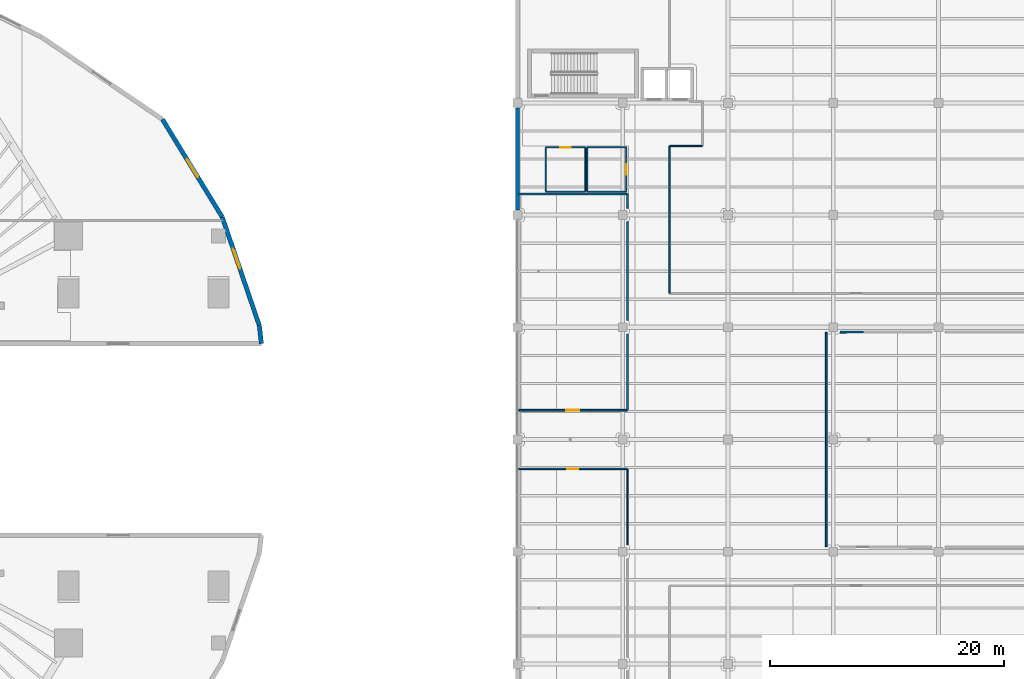
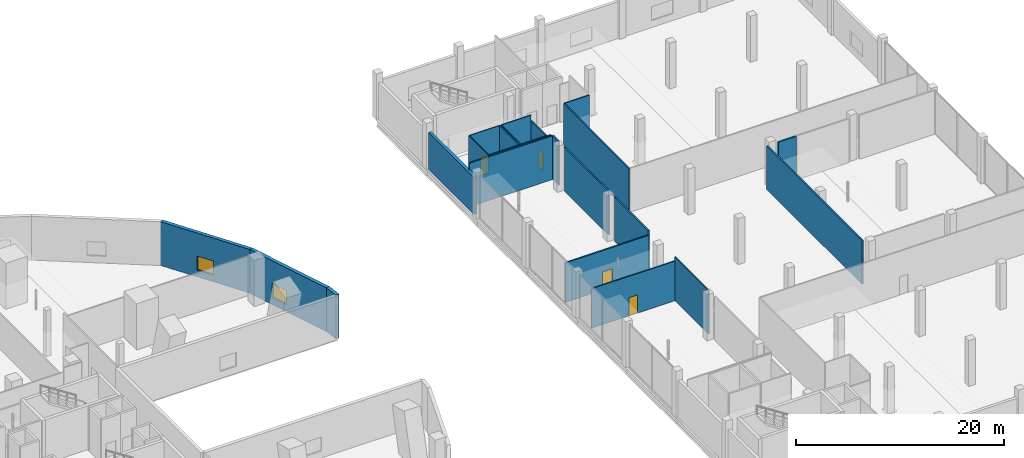
# One storey, part 31 of 47: 23 walls, 4 doors, 2 windows, 6 openings.
"""IFC4 building model written with IfcOpenShell, lengths in metres."""

from ifc_helpers import new_model, si_unit, direction, frame, frame_2d, origin, place, context, subcontext, project, spatial, rectangle, extrude, material, layer, layer_set, type_object, element, fill, save


model = new_model("IFC4")

# Units and contexts
model_context = context("Model", 3, precision=1e-05, world=origin(), true_north=direction((0.0, 1.0)))
body_context = subcontext(model_context, "Body", "Model", "MODEL_VIEW")
ifc_project = project(units=[si_unit("LENGTHUNIT", "METRE"), si_unit("AREAUNIT", "SQUARE_METRE"), si_unit("VOLUMEUNIT", "CUBIC_METRE"), si_unit("PLANEANGLEUNIT", "RADIAN"), si_unit("MASSUNIT", "GRAM", prefix="KILO")], contexts=[model_context])

# Site, building, storey
site_placement = place(None, origin())
site = spatial("IfcSite", under=ifc_project, at=site_placement, CompositionType="ELEMENT")
building_placement = place(site_placement, origin())
building = spatial("IfcBuilding", under=site, at=building_placement, Name="Qorvath Tower", CompositionType="ELEMENT")
storey_placement = place(building_placement, frame((0.0, 0.0, 6.60009765625)))
storey = spatial("IfcBuildingStorey", under=building, at=storey_placement, Name="L01", CompositionType="ELEMENT", Elevation=6.60009765625)

# Walls
ifc_material_1 = material(Name="Double acoustic gypsum board on steel studs", Category="steel")
ifc_layer_1 = layer(ifc_material_1, 0.159912109375)
ifc_layer_set_1 = layer_set([ifc_layer_1], Name="IW-ACOUSTIC-160")
wall_type_1 = type_object("IfcWallType", Name="IW-ACOUSTIC-160", PredefinedType="PARTITIONING", material=ifc_layer_set_1)
wall_1_placement = place(storey_placement, frame((61.983154296875, 9.199951171875, 0.0), z_axis=(0.0, 0.0, 1.0), x_axis=(-0.999991860604, -0.004034690231, 0.0)))
element("IfcWall", 1, at=wall_1_placement, inside=storey, type_object=wall_type_1, Name="Interior Partition IW-LB-L01-033", PredefinedType="PARTITIONING", context=body_context, shape_type="SweptSolid", body=[
    extrude(rectangle(XDim=1.996826171875, YDim=0.159912109375, at=frame_2d((0.99853515625, 0.0))), origin(), (0.0, 0.0, 1.0), 5.139892578125),
])
wall_2_placement = place(storey_placement, frame((58.800048828125, 9.1669921875, 0.0), z_axis=(0.0, 0.0, 1.0), x_axis=(0.0, -1.0, 0.0)))
element("IfcWall", 2, at=wall_2_placement, inside=storey, type_object=wall_type_1, Name="Interior Partition IW-LB-L01-034", PredefinedType="PARTITIONING", context=body_context, shape_type="SweptSolid", body=[
    extrude(rectangle(XDim=18.333984375, YDim=0.159912109375, at=frame_2d((9.1669921875, 0.0))), origin(), (0.0, 0.0, 1.0), 5.139892578125),
])

# Wall, opening, door
wall_3_placement = place(storey_placement, frame((32.47998046875, 2.508056640625, 0.0), z_axis=(0.0, 0.0, 1.0), x_axis=(1.0, 0.0, 0.0)))
wall_3 = element("IfcWall", 3, at=wall_3_placement, inside=storey, type_object=wall_type_1, Name="Interior Partition IW-LB-L01-035", PredefinedType="PARTITIONING", context=body_context, shape_type="SweptSolid", body=[
    extrude(rectangle(XDim=9.294921875, YDim=0.159912109375, at=frame_2d((4.6474609375, 0.0))), origin(), (0.0, 0.0, 1.0), 4.65283203125),
])
opening_1_placement = place(wall_3_placement, frame((4.097412109375, 0.0, 0.0)))
opening_1 = element("IfcOpeningElement", 4, at=opening_1_placement, cuts=wall_3, Name="Opening D-LB-L01-08", PredefinedType="OPENING", context=body_context, shape_type="SweptSolid", body=[
    extrude(rectangle(XDim=1.10009765625, YDim=2.14990234375, at=frame_2d((0.550048828125, 1.074951171875))), frame((0.0, 0.08984375, 0.0), z_axis=(0.0, -1.0, 0.0), x_axis=(1.0, 0.0, 0.0)), (0.0, 0.0, 1.0), 0.179931640625),
])
ifc_material_2 = material(Name="Anodised aluminium acoustic framed glass", Category="aluminium")
door_type_1 = type_object("IfcDoorType", Name="D-03", OperationType="NOTDEFINED", PredefinedType="DOOR", material=ifc_material_2)
door_1_placement = place(opening_1_placement, origin())
door_1 = element("IfcDoor", 5, at=door_1_placement, inside=storey, type_object=door_type_1, Name="L-L01-SEM-W Research Seminar Suite L01 Door D-LB-L01-08", OperationType="SINGLE_SWING_LEFT", OverallHeight=2.14990234375, OverallWidth=1.10009765625, PredefinedType="DOOR", context=body_context, shape_type="SweptSolid", body=[
    extrude(rectangle(XDim=1.10009765625, YDim=2.14990234375, at=frame_2d((0.550048828125, 1.074951171875))), frame((0.0, 0.02490234375, 0.0), z_axis=(0.0, -1.0, 0.0), x_axis=(1.0, 0.0, 0.0)), (0.0, 0.0, 1.0), 0.050048828125),
])
fill(opening_1, door_1)

# Walls
wall_4_placement = place(storey_placement, frame((41.800048828125, 2.533203125, 0.0), z_axis=(0.0, 0.0, 1.0), x_axis=(0.0, 1.0, 0.0)))
element("IfcWall", 6, at=wall_4_placement, inside=storey, type_object=wall_type_1, Name="Interior Partition IW-LB-L01-036", PredefinedType="PARTITIONING", context=body_context, shape_type="SweptSolid", body=[
    extrude(rectangle(XDim=6.477294921875, YDim=0.159912109375, at=frame_2d((3.23876953125, 0.0))), origin(), (0.0, 0.0, 1.0), 5.139892578125),
])
wall_5_placement = place(storey_placement, frame((41.800048828125, 10.189697265625, 0.0), z_axis=(0.0, 0.0, 1.0), x_axis=(0.0, 1.0, 0.0)))
element("IfcWall", 7, at=wall_5_placement, inside=storey, type_object=wall_type_1, Name="Interior Partition IW-LB-L01-037", PredefinedType="PARTITIONING", context=body_context, shape_type="SweptSolid", body=[
    extrude(rectangle(XDim=8.420654296875, YDim=0.159912109375, at=frame_2d((4.21044921875, 0.0))), origin(), (0.0, 0.0, 1.0), 5.139892578125),
])
wall_6_placement = place(storey_placement, frame((41.800048828125, 19.78955078125, 0.0), z_axis=(0.0, 0.0, 1.0), x_axis=(0.0, 1.0, 0.0)))
element("IfcWall", 8, at=wall_6_placement, inside=storey, type_object=wall_type_1, Name="Interior Partition IW-LB-L01-038", PredefinedType="PARTITIONING", context=body_context, shape_type="SweptSolid", body=[
    extrude(rectangle(XDim=1.185546875, YDim=0.159912109375, at=frame_2d((0.5927734375, 0.0))), origin(), (0.0, 0.0, 1.0), 5.139892578125),
])
wall_7_placement = place(storey_placement, frame((41.77490234375, 21.0, 0.0), z_axis=(0.0, 0.0, 1.0), x_axis=(-1.0, 0.0, 0.0)))
element("IfcWall", 9, at=wall_7_placement, inside=storey, type_object=wall_type_1, Name="Interior Partition IW-LB-L01-039", PredefinedType="PARTITIONING", context=body_context, shape_type="SweptSolid", body=[
    extrude(rectangle(XDim=9.294921875, YDim=0.159912109375, at=frame_2d((4.6474609375, 0.0))), origin(), (0.0, 0.0, 1.0), 5.139892578125),
])
ifc_material_3 = material(Name="Gypsum board on metal studs with mineral wool", Category="gypsum")
ifc_layer_2 = layer(ifc_material_3, 0.125)
ifc_layer_set_2 = layer_set([ifc_layer_2], Name="IW-PART-125")
wall_type_2 = type_object("IfcWallType", Name="IW-PART-125", PredefinedType="PARTITIONING", material=ifc_layer_set_2)
wall_8_placement = place(storey_placement, frame((45.43310546875, 25.112060546875, 0.0), z_axis=(0.0, 0.0, 1.0), x_axis=(1.0, 0.0, 0.0)))
element("IfcWall", 10, at=wall_8_placement, inside=storey, type_object=wall_type_2, Name="Interior Partition IW-LB-L01-019", PredefinedType="PARTITIONING", context=body_context, shape_type="SweptSolid", body=[
    extrude(rectangle(XDim=2.75, YDim=0.125, at=frame_2d((1.375, 0.0))), origin(), (0.0, 0.0, 1.0), 5.139892578125),
])
wall_9_placement = place(storey_placement, frame((45.407958984375, 25.087158203125, 0.0), z_axis=(0.0, 0.0, 1.0), x_axis=(0.0, -1.0, 0.0)))
element("IfcWall", 11, at=wall_9_placement, inside=storey, type_object=wall_type_2, Name="Interior Partition IW-LB-L01-020", PredefinedType="PARTITIONING", context=body_context, shape_type="SweptSolid", body=[
    extrude(rectangle(XDim=12.553955078125, YDim=0.125, at=frame_2d((6.27685546875, 0.0))), origin(), (0.0, 0.0, 1.0), 5.139892578125),
])
wall_10_placement = place(storey_placement, frame((41.800048828125, -9.010498046875, 0.0), z_axis=(0.0, 0.0, 1.0), x_axis=(0.0, 1.0, 0.0)))
element("IfcWall", 12, at=wall_10_placement, inside=storey, type_object=wall_type_2, Name="Interior Partition IW-LB-L01-043", PredefinedType="PARTITIONING", context=body_context, shape_type="SweptSolid", body=[
    extrude(rectangle(XDim=6.477294921875, YDim=0.125, at=frame_2d((3.23876953125, 0.0))), origin(), (0.0, 0.0, 1.0), 5.139892578125),
])

# Wall, opening, door
wall_11_placement = place(storey_placement, frame((41.77490234375, -2.508056640625, 0.0), z_axis=(0.0, 0.0, 1.0), x_axis=(-1.0, 0.0, 0.0)))
wall_11 = element("IfcWall", 13, at=wall_11_placement, inside=storey, type_object=wall_type_2, Name="Interior Partition IW-LB-L01-044", PredefinedType="PARTITIONING", context=body_context, shape_type="SweptSolid", body=[
    extrude(rectangle(XDim=9.294921875, YDim=0.125, at=frame_2d((4.6474609375, 0.0))), origin(), (0.0, 0.0, 1.0), 4.65283203125),
])
opening_2_placement = place(wall_11_placement, frame((4.17236328125, 0.0, 0.0)))
opening_2 = element("IfcOpeningElement", 14, at=opening_2_placement, cuts=wall_11, Name="Opening D-LB-L01-09", PredefinedType="OPENING", context=body_context, shape_type="SweptSolid", body=[
    extrude(rectangle(XDim=0.949951171875, YDim=2.14990234375, at=frame_2d((0.47509765625, 1.074951171875))), frame((0.0, 0.072509765625, 0.0), z_axis=(0.0, -1.0, 0.0), x_axis=(1.0, 0.0, 0.0)), (0.0, 0.0, 1.0), 0.14501953125),
])
ifc_material_4 = material(Name="Solid-core American white oak veneer", Category="wood")
door_type_2 = type_object("IfcDoorType", Name="D-01", OperationType="NOTDEFINED", PredefinedType="DOOR", material=ifc_material_4)
door_2_placement = place(opening_2_placement, origin())
door_2 = element("IfcDoor", 15, at=door_2_placement, inside=storey, type_object=door_type_2, Name="L-L01-STAFF Cataloguing and Librarian Studio L01 Door D-LB-L01-09", OperationType="SINGLE_SWING_RIGHT", OverallHeight=2.14990234375, OverallWidth=0.949951171875, PredefinedType="DOOR", context=body_context, shape_type="SweptSolid", body=[
    extrude(rectangle(XDim=0.949951171875, YDim=2.14990234375, at=frame_2d((0.47509765625, 1.074951171875))), frame((0.0, 0.02490234375, 0.0), z_axis=(0.0, -1.0, 0.0), x_axis=(1.0, 0.0, 0.0)), (0.0, 0.0, 1.0), 0.050048828125),
])
fill(opening_2, door_2)

# Walls
ifc_material_5 = material(Name="Moisture-resistant cement board on metal studs", Category="gypsum")
ifc_layer_3 = layer(ifc_material_5, 0.110107421875)
ifc_layer_set_3 = layer_set([ifc_layer_3], Name="IW-WC-110")
wall_type_3 = type_object("IfcWallType", Name="IW-WC-110", PredefinedType="PARTITIONING", material=ifc_layer_set_3)
wall_12_placement = place(storey_placement, frame((34.824951171875, 21.199951171875, 0.0), z_axis=(0.0, 0.0, 1.0), x_axis=(1.0, 0.0, 0.0)))
element("IfcWall", 16, at=wall_12_placement, inside=storey, type_object=wall_type_3, Name="Interior Partition IW-LB-L01-001", PredefinedType="PARTITIONING", context=body_context, shape_type="SweptSolid", body=[
    extrude(rectangle(XDim=3.35009765625, YDim=0.110107421875, at=frame_2d((1.675048828125, 0.0))), origin(), (0.0, 0.0, 1.0), 5.139892578125),
])
wall_13_placement = place(storey_placement, frame((38.199951171875, 21.22509765625, 0.0), z_axis=(0.0, 0.0, 1.0), x_axis=(0.0, 1.0, 0.0)))
element("IfcWall", 17, at=wall_13_placement, inside=storey, type_object=wall_type_3, Name="Interior Partition IW-LB-L01-002", PredefinedType="PARTITIONING", context=body_context, shape_type="SweptSolid", body=[
    extrude(rectangle(XDim=3.75, YDim=0.110107421875, at=frame_2d((1.875, 0.0))), origin(), (0.0, 0.0, 1.0), 5.139892578125),
])

# Wall, opening, door
wall_14_placement = place(storey_placement, frame((38.175048828125, 25.0, 0.0), z_axis=(0.0, 0.0, 1.0), x_axis=(-1.0, 0.0, 0.0)))
wall_14 = element("IfcWall", 18, at=wall_14_placement, inside=storey, type_object=wall_type_3, Name="Interior Partition IW-LB-L01-003", PredefinedType="PARTITIONING", context=body_context, shape_type="SweptSolid", body=[
    extrude(rectangle(XDim=3.35009765625, YDim=0.110107421875, at=frame_2d((1.675048828125, 0.0))), origin(), (0.0, 0.0, 1.0), 5.139892578125),
])
opening_3_placement = place(wall_14_placement, frame((1.235107421875, 0.0, 0.0)))
opening_3 = element("IfcOpeningElement", 19, at=opening_3_placement, cuts=wall_14, Name="Opening D-LB-L01-01", PredefinedType="OPENING", context=body_context, shape_type="SweptSolid", body=[
    extrude(rectangle(XDim=0.8798828125, YDim=2.10009765625, at=frame_2d((0.43994140625, 1.050048828125))), frame((0.0, 0.06494140625, 0.0), z_axis=(0.0, -1.0, 0.0), x_axis=(1.0, 0.0, 0.0)), (0.0, 0.0, 1.0), 0.130126953125),
])
ifc_material_6 = material(Name="Solid-core oak with acoustic drop seal", Category="wood")
door_type_3 = type_object("IfcDoorType", Name="D-02", OperationType="NOTDEFINED", PredefinedType="DOOR", material=ifc_material_6)
door_3_placement = place(opening_3_placement, origin())
door_3 = element("IfcDoor", 20, at=door_3_placement, inside=storey, type_object=door_type_3, Name="WC East Wing North L01 Door D-LB-L01-01", OperationType="SINGLE_SWING_RIGHT", OverallHeight=2.10009765625, OverallWidth=0.8798828125, PredefinedType="DOOR", context=body_context, shape_type="SweptSolid", body=[
    extrude(rectangle(XDim=0.8798828125, YDim=2.10009765625, at=frame_2d((0.43994140625, 1.050048828125))), frame((0.0, 0.02490234375, 0.0), z_axis=(0.0, -1.0, 0.0), x_axis=(1.0, 0.0, 0.0)), (0.0, 0.0, 1.0), 0.050048828125),
])
fill(opening_3, door_3)

# Walls
wall_15_placement = place(storey_placement, frame((34.800048828125, 24.97509765625, 0.0), z_axis=(0.0, 0.0, 1.0), x_axis=(0.0, -1.0, 0.0)))
element("IfcWall", 21, at=wall_15_placement, inside=storey, type_object=wall_type_3, Name="Interior Partition IW-LB-L01-004", PredefinedType="PARTITIONING", context=body_context, shape_type="SweptSolid", body=[
    extrude(rectangle(XDim=3.75, YDim=0.110107421875, at=frame_2d((1.875, 0.0))), origin(), (0.0, 0.0, 1.0), 5.139892578125),
])
wall_16_placement = place(storey_placement, frame((38.375, 21.199951171875, 0.0), z_axis=(0.0, 0.0, 1.0), x_axis=(1.0, 0.0, 0.0)))
element("IfcWall", 22, at=wall_16_placement, inside=storey, type_object=wall_type_3, Name="Interior Partition IW-LB-L01-005", PredefinedType="PARTITIONING", context=body_context, shape_type="SweptSolid", body=[
    extrude(rectangle(XDim=3.300048828125, YDim=0.110107421875, at=frame_2d((1.64990234375, 0.0))), origin(), (0.0, 0.0, 1.0), 5.139892578125),
])

# Wall, opening, door
wall_17_placement = place(storey_placement, frame((41.699951171875, 21.22509765625, 0.0), z_axis=(0.0, 0.0, 1.0), x_axis=(0.0, 1.0, 0.0)))
wall_17 = element("IfcWall", 23, at=wall_17_placement, inside=storey, type_object=wall_type_3, Name="Interior Partition IW-LB-L01-006", PredefinedType="PARTITIONING", context=body_context, shape_type="SweptSolid", body=[
    extrude(rectangle(XDim=3.75, YDim=0.110107421875, at=frame_2d((1.875, 0.0))), origin(), (0.0, 0.0, 1.0), 4.49365234375),
])
opening_4_placement = place(wall_17_placement, frame((1.43505859375, 0.0, 0.0)))
opening_4 = element("IfcOpeningElement", 24, at=opening_4_placement, cuts=wall_17, Name="Opening D-LB-L01-02", PredefinedType="OPENING", context=body_context, shape_type="SweptSolid", body=[
    extrude(rectangle(XDim=0.8798828125, YDim=2.10009765625, at=frame_2d((0.43994140625, 1.050048828125))), frame((0.0, 0.06494140625, 0.0), z_axis=(0.0, -1.0, 0.0), x_axis=(1.0, 0.0, 0.0)), (0.0, 0.0, 1.0), 0.130126953125),
])
door_4_placement = place(opening_4_placement, origin())
door_4 = element("IfcDoor", 25, at=door_4_placement, inside=storey, type_object=door_type_3, Name="WC East Wing South L01 Door D-LB-L01-02", OperationType="SINGLE_SWING_LEFT", OverallHeight=2.10009765625, OverallWidth=0.8798828125, PredefinedType="DOOR", context=body_context, shape_type="SweptSolid", body=[
    extrude(rectangle(XDim=0.8798828125, YDim=2.10009765625, at=frame_2d((0.43994140625, 1.050048828125))), frame((0.0, 0.02490234375, 0.0), z_axis=(0.0, -1.0, 0.0), x_axis=(1.0, 0.0, 0.0)), (0.0, 0.0, 1.0), 0.050048828125),
])
fill(opening_4, door_4)

# Walls
wall_18_placement = place(storey_placement, frame((41.675048828125, 25.0, 0.0), z_axis=(0.0, 0.0, 1.0), x_axis=(-1.0, 0.0, 0.0)))
element("IfcWall", 26, at=wall_18_placement, inside=storey, type_object=wall_type_3, Name="Interior Partition IW-LB-L01-007", PredefinedType="PARTITIONING", context=body_context, shape_type="SweptSolid", body=[
    extrude(rectangle(XDim=3.300048828125, YDim=0.110107421875, at=frame_2d((1.64990234375, 0.0))), origin(), (0.0, 0.0, 1.0), 5.139892578125),
])
wall_19_placement = place(storey_placement, frame((38.35009765625, 24.97509765625, 0.0), z_axis=(0.0, 0.0, 1.0), x_axis=(0.0, -1.0, 0.0)))
element("IfcWall", 27, at=wall_19_placement, inside=storey, type_object=wall_type_3, Name="Interior Partition IW-LB-L01-008", PredefinedType="PARTITIONING", context=body_context, shape_type="SweptSolid", body=[
    extrude(rectangle(XDim=3.75, YDim=0.110107421875, at=frame_2d((1.875, 0.0))), origin(), (0.0, 0.0, 1.0), 5.139892578125),
])
ifc_material_7 = material(Name="Precast concrete C45/55", Category="concrete")
ifc_layer_4 = layer(ifc_material_7, 0.320068359375)
ifc_layer_set_4 = layer_set([ifc_layer_4], Name="WL-EW-LIB-320")
wall_type_4 = type_object("IfcWallType", Name="WL-EW-LIB-320", PredefinedType="SOLIDWALL", material=ifc_layer_set_4)
wall_20_placement = place(storey_placement, frame((32.39990234375, 19.6201171875, 0.0), z_axis=(0.0, 0.0, 1.0), x_axis=(0.0, 1.0, 0.0)))
element("IfcWall", 28, at=wall_20_placement, inside=storey, type_object=wall_type_4, Name="Library West Precast Facade Wall L01-7", PredefinedType="SOLIDWALL", context=body_context, shape_type="SweptSolid", body=[
    extrude(rectangle(XDim=8.759765625, YDim=0.320068359375, at=frame_2d((4.3798828125, 0.0))), origin(), (0.0, 0.0, 1.0), 4.3369140625),
])
ifc_material_8 = material(Name="Precast concrete C50/60", Category="concrete")
ifc_layer_5 = layer(ifc_material_8, 0.3798828125)
ifc_layer_set_5 = layer_set([ifc_layer_5], Name="WL-EW-POD-380")
wall_type_5 = type_object("IfcWallType", Name="WL-EW-POD-380", PredefinedType="SOLIDWALL", material=ifc_layer_set_5)
wall_21_placement = place(storey_placement, frame((10.3125, 9.748779296875, 0.0), z_axis=(0.0, 0.0, 1.0), x_axis=(0.109520054504, -0.993984586229, 0.0)))
element("IfcWall", 29, at=wall_21_placement, inside=storey, type_object=wall_type_5, Name="Tower Podium Precast Facade Wall L01-4.1", PredefinedType="SOLIDWALL", context=body_context, shape_type="SweptSolid", body=[
    extrude(rectangle(XDim=1.55810546875, YDim=0.3798828125, at=frame_2d((0.779052734375, 0.0))), origin(), (0.0, 0.0, 1.0), 5.139892578125),
])

# Wall, opening, window
wall_22_placement = place(storey_placement, frame((7.139404296875, 19.029052734375, 0.0), z_axis=(0.0, 0.0, 1.0), x_axis=(0.323529337119, -0.946218139767, 0.0)))
wall_22 = element("IfcWall", 30, at=wall_22_placement, inside=storey, type_object=wall_type_5, Name="Tower Podium Precast Facade Wall L01-5.1", PredefinedType="SOLIDWALL", context=body_context, shape_type="SweptSolid", body=[
    extrude(rectangle(XDim=9.807861328125, YDim=0.3798828125, at=frame_2d((4.90380859375, 0.0))), origin(), (0.0, 0.0, 1.0), 5.139892578125),
])
opening_5_placement = place(wall_22_placement, frame((2.85986328125, 0.0, 0.800048828125)))
opening_5 = element("IfcOpeningElement", 31, at=opening_5_placement, cuts=wall_22, Name="Opening WN-L01-004", PredefinedType="OPENING", context=body_context, shape_type="SweptSolid", body=[
    extrude(rectangle(XDim=1.800048828125, YDim=1.64990234375, at=frame_2d((0.89990234375, 0.824951171875))), frame((0.0, 0.199951171875, 0.0), z_axis=(0.0, -1.0, 0.0), x_axis=(1.0, 0.0, 0.0)), (0.0, 0.0, 1.0), 0.39990234375),
])
ifc_material_9 = material(Name="Thermally broken aluminium and triple low-E glass", Category="aluminium")
window_type = type_object("IfcWindowType", Name="WN-1", PartitioningType="SINGLE_PANEL", PredefinedType="WINDOW", material=ifc_material_9)
window_1_placement = place(opening_5_placement, origin())
window_1 = element("IfcWindow", 32, at=window_1_placement, inside=storey, type_object=window_type, Name="Podium Punched Window L01-004", OverallHeight=1.64990234375, OverallWidth=1.800048828125, PartitioningType="SINGLE_PANEL", PredefinedType="WINDOW", context=body_context, shape_type="SweptSolid", body=[
    extrude(rectangle(XDim=1.800048828125, YDim=1.64990234375, at=frame_2d((0.89990234375, 0.824951171875))), frame((0.0, 0.030029296875, 0.0), z_axis=(0.0, -1.0, 0.0), x_axis=(1.0, 0.0, 0.0)), (0.0, 0.0, 1.0), 0.06005859375),
])
fill(opening_5, window_1)

wall_23_placement = place(storey_placement, frame((2.0205078125, 27.39501953125, 0.0), z_axis=(0.0, 0.0, 1.0), x_axis=(0.521922160909, -0.852993117178, 0.0)))
wall_23 = element("IfcWall", 33, at=wall_23_placement, inside=storey, type_object=wall_type_5, Name="Tower Podium Precast Facade Wall L01-6.1", PredefinedType="SOLIDWALL", context=body_context, shape_type="SweptSolid", body=[
    extrude(rectangle(XDim=9.807861328125, YDim=0.3798828125, at=frame_2d((4.90380859375, 0.0))), origin(), (0.0, 0.0, 1.0), 5.139892578125),
])
opening_6_placement = place(wall_23_placement, frame((4.00390625, 0.0, 0.800048828125)))
opening_6 = element("IfcOpeningElement", 34, at=opening_6_placement, cuts=wall_23, Name="Opening WN-L01-005", PredefinedType="OPENING", context=body_context, shape_type="SweptSolid", body=[
    extrude(rectangle(XDim=1.800048828125, YDim=1.64990234375, at=frame_2d((0.89990234375, 0.824951171875))), frame((0.0, 0.199951171875, 0.0), z_axis=(0.0, -1.0, 0.0), x_axis=(1.0, 0.0, 0.0)), (0.0, 0.0, 1.0), 0.39990234375),
])
window_2_placement = place(opening_6_placement, origin())
window_2 = element("IfcWindow", 35, at=window_2_placement, inside=storey, type_object=window_type, Name="Podium Punched Window L01-005", OverallHeight=1.64990234375, OverallWidth=1.800048828125, PartitioningType="SINGLE_PANEL", PredefinedType="WINDOW", context=body_context, shape_type="SweptSolid", body=[
    extrude(rectangle(XDim=1.800048828125, YDim=1.64990234375, at=frame_2d((0.89990234375, 0.824951171875))), frame((0.0, 0.030029296875, 0.0), z_axis=(0.0, -1.0, 0.0), x_axis=(1.0, 0.0, 0.0)), (0.0, 0.0, 1.0), 0.06005859375),
])
fill(opening_6, window_2)

save(model, "model.ifc")
